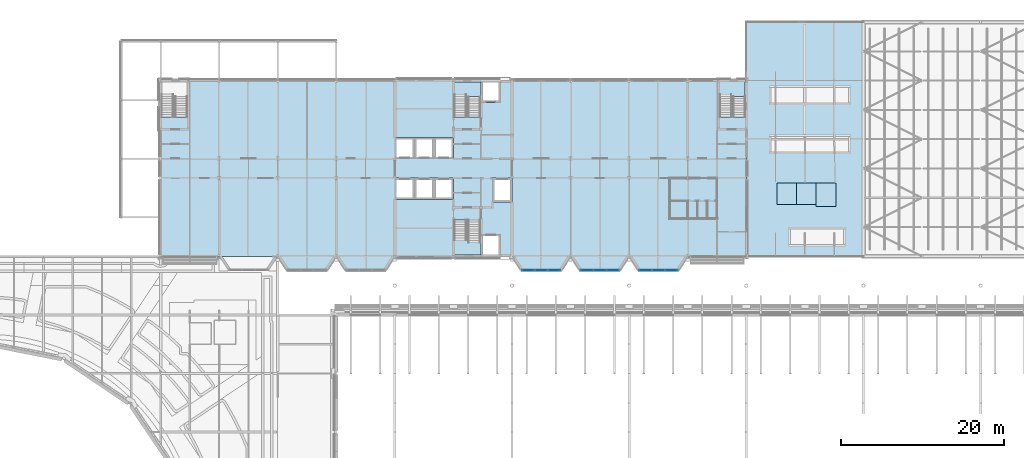
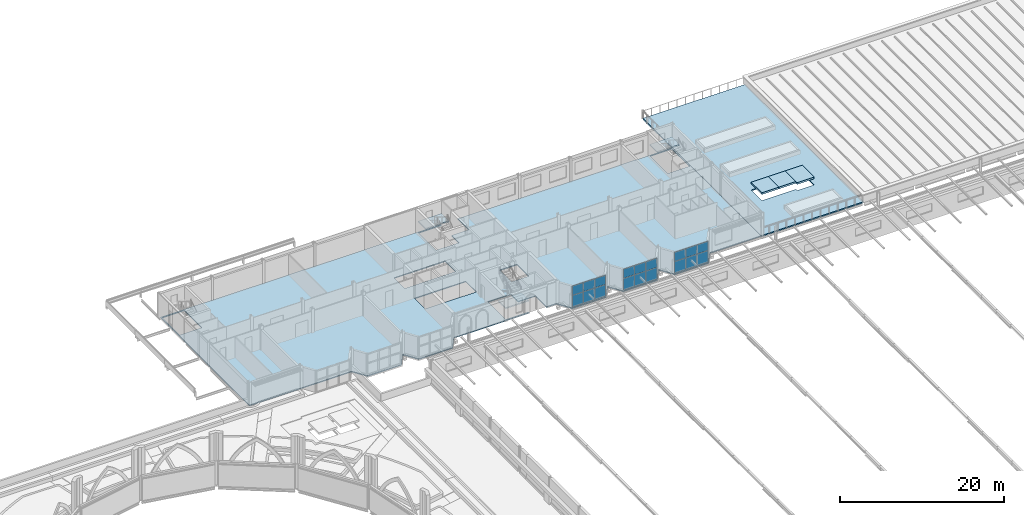
# One storey, part 37 of 110: 18 plates, 8 slabs, 6 elements without a shape of their own.
"""IFC4 building model written with IfcOpenShell, lengths in metres."""

from ifc_helpers import new_model, si_unit, direction, frame, origin, origin_2d, place, context, subcontext, project, spatial, polyline, rectangle, outline, extrude, material, layer, layer_set, type_object, element, aggregate, save


model = new_model("IFC4")

# Units and contexts
model_context = context("Model", 3, precision=1e-05, world=origin(), true_north=direction((0.0, 1.0)))
body_context = subcontext(model_context, "Body", "Model", "MODEL_VIEW")
ifc_project = project(units=[si_unit("LENGTHUNIT", "METRE"), si_unit("AREAUNIT", "SQUARE_METRE"), si_unit("VOLUMEUNIT", "CUBIC_METRE"), si_unit("PLANEANGLEUNIT", "RADIAN"), si_unit("MASSUNIT", "GRAM", prefix="KILO")], contexts=[model_context])

# Site, building, storey
site_placement = place(None, origin())
site = spatial("IfcSite", under=ifc_project, at=site_placement, CompositionType="ELEMENT")
building_placement = place(site_placement, origin())
building = spatial("IfcBuilding", under=site, at=building_placement, Name="Kupolbacken Congress Centre", CompositionType="ELEMENT")
storey_placement = place(building_placement, frame((0.0, 0.0, 18.0)))
storey = spatial("IfcBuildingStorey", under=building, at=storey_placement, Name="L05", CompositionType="ELEMENT", Elevation=18.0)

# Slabs
ifc_material_1 = material(Name="Concrete C30/37", Category="concrete")
ifc_layer_1 = layer(ifc_material_1, 0.080078125)
ifc_material_2 = material(Name="Steel S350 profiled deck", Category="steel")
ifc_layer_2 = layer(ifc_material_2, 0.06005859375)
ifc_layer_set_1 = layer_set([ifc_layer_1, ifc_layer_2], Name="Concrete C30/37 / Steel S350 profiled deck")
slab_type_1 = type_object("IfcSlabType", Name="FS1 slab 140", PredefinedType="FLOOR", material=ifc_layer_set_1)
slab_1_placement = place(storey_placement, frame((0.0, 0.0, -0.139892578125)))
element("IfcSlab", 1, at=slab_1_placement, inside=storey, type_object=slab_type_1, Name="S/floor/T/L05/slab/slab", PredefinedType="FLOOR", context=body_context, shape_type="SweptSolid", body=[
    extrude(outline(polyline([(79.200439453125, 122.399169921875), (80.399658203125, 120.6005859375), (85.2001953125, 120.6005859375), (86.39990234375, 122.39990234375), (87.599609375, 120.6005859375), (92.400390625, 120.6005859375), (93.599609375, 122.3994140625), (93.599609375, 122.400390625), (104.199462890625, 122.400390625), (104.199462890625, 122.574462890625), (100.974609375, 122.574462890625), (100.974609375, 126.890380859375), (104.200439453125, 126.890380859375), (104.200439453125, 125.1005859375), (106.6005859375, 125.1005859375), (106.6005859375, 122.400390625), (108.00048828125, 122.400390625), (108.00048828125, 122.399169921875), (109.19970703125, 120.6005859375), (114.000244140625, 120.6005859375), (115.199951171875, 122.39990234375), (116.399658203125, 120.6005859375), (121.2001953125, 120.6005859375), (122.39990234375, 122.39990234375), (123.599609375, 120.6005859375), (128.400390625, 120.6005859375), (129.599609375, 122.3994140625), (129.599609375, 122.400390625), (136.799560546875, 122.400390625), (136.799560546875, 143.99951171875), (106.6005859375, 143.99951171875), (106.6005859375, 141.299560546875), (104.200439453125, 141.299560546875), (104.200439453125, 139.509521484375), (100.974609375, 139.509521484375), (100.974609375, 143.825439453125), (104.199462890625, 143.825439453125), (104.199462890625, 143.99951171875), (64.800537109375, 143.99951171875), (64.800537109375, 122.400390625), (79.200439453125, 122.400390625), (79.200439453125, 122.399169921875)]), holes=[polyline([(136.650390625, 139.534423828125), (133.549560546875, 139.534423828125), (133.549560546875, 143.8505859375), (136.650390625, 143.8505859375), (136.650390625, 139.534423828125)]), polyline([(108.00048828125, 129.099609375), (105.599609375, 129.099609375), (105.599609375, 132.00048828125), (108.00048828125, 132.00048828125), (108.00048828125, 129.099609375)]), polyline([(93.599609375, 132.00048828125), (100.800537109375, 132.00048828125), (100.800537109375, 129.3994140625), (93.599609375, 129.3994140625), (93.599609375, 132.00048828125)]), polyline([(93.599609375, 137.00048828125), (100.800537109375, 137.00048828125), (100.800537109375, 134.3994140625), (93.599609375, 134.3994140625), (93.599609375, 137.00048828125)]), polyline([(68.050537109375, 143.8505859375), (68.050537109375, 139.534423828125), (64.949462890625, 139.534423828125), (64.949462890625, 143.8505859375), (68.050537109375, 143.8505859375)])]), origin(), (0.0, 0.0, 1.0), 0.139892578125),
])
ifc_layer_3 = layer(ifc_material_1, 0.1201171875)
ifc_layer_4 = layer(ifc_material_2, 0.06005859375)
ifc_layer_set_2 = layer_set([ifc_layer_3, ifc_layer_4], Name="Concrete C30/37 / Steel S350 profiled deck")
slab_type_2 = type_object("IfcSlabType", Name="FS3 slab 180", PredefinedType="FLOOR", material=ifc_layer_set_2)
slab_2_placement = place(storey_placement, frame((0.0, 0.0, -0.179931640625)))
element("IfcSlab", 2, at=slab_2_placement, inside=storey, type_object=slab_type_2, Name="S/floor/BF/L05/slab/slab", PredefinedType="ROOF", context=body_context, shape_type="SweptSolid", body=[
    extrude(outline(polyline([(151.199462890625, 122.400390625), (151.199462890625, 151.199462890625), (136.800537109375, 151.199462890625), (136.800537109375, 122.400390625), (151.199462890625, 122.400390625)]), holes=[polyline([(145.3994140625, 128.799560546875), (140.599609375, 128.799560546875), (140.599609375, 131.400390625), (147.800537109375, 131.400390625), (147.800537109375, 128.49951171875), (145.3994140625, 128.49951171875), (145.3994140625, 128.799560546875)])]), origin(), (0.0, 0.0, 1.0), 0.179931640625),
])

# Curtain wall, plates
ifc_material_3 = material(Name="Aluminium mullion-transom frame with glass", Category="aluminium")
curtain_wall_type = type_object("IfcCurtainWallType", Name="CW1 curtain wall 7200x3600", PredefinedType="NOTDEFINED", material=ifc_material_3)
curtain_wall_1_placement = place(storey_placement, origin())
curtain_wall_1 = element("IfcCurtainWall", 3, at=curtain_wall_1_placement, inside=storey, type_object=curtain_wall_type, Name="E/T/cumba/L05/S/013/cw", PredefinedType="NOTDEFINED")
ifc_material_4 = material(Name="Glass", Category="glass")
ifc_layer_5 = layer(ifc_material_4, 0.035888671875)
ifc_layer_set_3 = layer_set([ifc_layer_5], Name="Glass")
plate_type = type_object("IfcPlateType", Name="GL2 glass panel 36", PredefinedType="CURTAIN_PANEL", material=ifc_layer_set_3)
plate_1_placement = place(storey_placement, frame((110.012451171875, 120.699951171875, 0.050048828125), z_axis=(0.0, 0.0, 1.0), x_axis=(1.0, 0.0, 0.0)))
plate_1 = element("IfcPlate", 4, at=plate_1_placement, type_object=plate_type, Name="CW1 panel 1.1", PredefinedType="CURTAIN_PANEL", context=body_context, shape_type="SweptSolid", body=[
    extrude(rectangle(XDim=1.52490234375, YDim=0.035888671875, at=origin_2d()), origin(), (0.0, 0.0, 1.0), 1.72509765625),
])
plate_2_placement = place(storey_placement, frame((110.012451171875, 120.699951171875, 1.8251953125), z_axis=(0.0, 0.0, 1.0), x_axis=(1.0, 0.0, 0.0)))
plate_2 = element("IfcPlate", 5, at=plate_2_placement, type_object=plate_type, Name="CW1 panel 1.2", PredefinedType="CURTAIN_PANEL", context=body_context, shape_type="SweptSolid", body=[
    extrude(rectangle(XDim=1.52490234375, YDim=0.035888671875, at=origin_2d()), origin(), (0.0, 0.0, 1.0), 1.344970703125),
])
plate_3_placement = place(storey_placement, frame((111.60009765625, 120.699951171875, 0.050048828125), z_axis=(0.0, 0.0, 1.0), x_axis=(1.0, 0.0, 0.0)))
plate_3 = element("IfcPlate", 6, at=plate_3_placement, type_object=plate_type, Name="CW1 panel 2.1", PredefinedType="CURTAIN_PANEL", context=body_context, shape_type="SweptSolid", body=[
    extrude(rectangle(XDim=1.550048828125, YDim=0.035888671875, at=origin_2d()), origin(), (0.0, 0.0, 1.0), 1.72509765625),
])
plate_4_placement = place(storey_placement, frame((111.60009765625, 120.699951171875, 1.8251953125), z_axis=(0.0, 0.0, 1.0), x_axis=(1.0, 0.0, 0.0)))
plate_4 = element("IfcPlate", 7, at=plate_4_placement, type_object=plate_type, Name="CW1 panel 2.2", PredefinedType="CURTAIN_PANEL", context=body_context, shape_type="SweptSolid", body=[
    extrude(rectangle(XDim=1.550048828125, YDim=0.035888671875, at=origin_2d()), origin(), (0.0, 0.0, 1.0), 1.344970703125),
])
plate_5_placement = place(storey_placement, frame((113.1875, 120.699951171875, 0.050048828125), z_axis=(0.0, 0.0, 1.0), x_axis=(1.0, 0.0, 0.0)))
plate_5 = element("IfcPlate", 8, at=plate_5_placement, type_object=plate_type, Name="CW1 panel 3.1", PredefinedType="CURTAIN_PANEL", context=body_context, shape_type="SweptSolid", body=[
    extrude(rectangle(XDim=1.52490234375, YDim=0.035888671875, at=origin_2d()), origin(), (0.0, 0.0, 1.0), 1.72509765625),
])
plate_6_placement = place(storey_placement, frame((113.1875, 120.699951171875, 1.8251953125), z_axis=(0.0, 0.0, 1.0), x_axis=(1.0, 0.0, 0.0)))
plate_6 = element("IfcPlate", 9, at=plate_6_placement, type_object=plate_type, Name="CW1 panel 3.2", PredefinedType="CURTAIN_PANEL", context=body_context, shape_type="SweptSolid", body=[
    extrude(rectangle(XDim=1.52490234375, YDim=0.035888671875, at=origin_2d()), origin(), (0.0, 0.0, 1.0), 1.344970703125),
])
aggregate(curtain_wall_1, [plate_1, plate_2, plate_3, plate_4, plate_5, plate_6])

curtain_wall_2_placement = place(storey_placement, origin())
curtain_wall_2 = element("IfcCurtainWall", 10, at=curtain_wall_2_placement, inside=storey, type_object=curtain_wall_type, Name="E/T/cumba/L05/S/017/cw", PredefinedType="NOTDEFINED")
plate_7_placement = place(storey_placement, frame((117.21240234375, 120.699951171875, 0.050048828125), z_axis=(0.0, 0.0, 1.0), x_axis=(1.0, 0.0, 0.0)))
plate_7 = element("IfcPlate", 11, at=plate_7_placement, type_object=plate_type, Name="CW1 panel 1.1", PredefinedType="CURTAIN_PANEL", context=body_context, shape_type="SweptSolid", body=[
    extrude(rectangle(XDim=1.52490234375, YDim=0.035888671875, at=origin_2d()), origin(), (0.0, 0.0, 1.0), 1.72509765625),
])
plate_8_placement = place(storey_placement, frame((117.21240234375, 120.699951171875, 1.8251953125), z_axis=(0.0, 0.0, 1.0), x_axis=(1.0, 0.0, 0.0)))
plate_8 = element("IfcPlate", 12, at=plate_8_placement, type_object=plate_type, Name="CW1 panel 1.2", PredefinedType="CURTAIN_PANEL", context=body_context, shape_type="SweptSolid", body=[
    extrude(rectangle(XDim=1.52490234375, YDim=0.035888671875, at=origin_2d()), origin(), (0.0, 0.0, 1.0), 1.344970703125),
])
plate_9_placement = place(storey_placement, frame((118.800048828125, 120.699951171875, 0.050048828125), z_axis=(0.0, 0.0, 1.0), x_axis=(1.0, 0.0, 0.0)))
plate_9 = element("IfcPlate", 13, at=plate_9_placement, type_object=plate_type, Name="CW1 panel 2.1", PredefinedType="CURTAIN_PANEL", context=body_context, shape_type="SweptSolid", body=[
    extrude(rectangle(XDim=1.550048828125, YDim=0.035888671875, at=origin_2d()), origin(), (0.0, 0.0, 1.0), 1.72509765625),
])
plate_10_placement = place(storey_placement, frame((118.800048828125, 120.699951171875, 1.8251953125), z_axis=(0.0, 0.0, 1.0), x_axis=(1.0, 0.0, 0.0)))
plate_10 = element("IfcPlate", 14, at=plate_10_placement, type_object=plate_type, Name="CW1 panel 2.2", PredefinedType="CURTAIN_PANEL", context=body_context, shape_type="SweptSolid", body=[
    extrude(rectangle(XDim=1.550048828125, YDim=0.035888671875, at=origin_2d()), origin(), (0.0, 0.0, 1.0), 1.344970703125),
])
plate_11_placement = place(storey_placement, frame((120.387451171875, 120.699951171875, 0.050048828125), z_axis=(0.0, 0.0, 1.0), x_axis=(1.0, 0.0, 0.0)))
plate_11 = element("IfcPlate", 15, at=plate_11_placement, type_object=plate_type, Name="CW1 panel 3.1", PredefinedType="CURTAIN_PANEL", context=body_context, shape_type="SweptSolid", body=[
    extrude(rectangle(XDim=1.52490234375, YDim=0.035888671875, at=origin_2d()), origin(), (0.0, 0.0, 1.0), 1.72509765625),
])
plate_12_placement = place(storey_placement, frame((120.387451171875, 120.699951171875, 1.8251953125), z_axis=(0.0, 0.0, 1.0), x_axis=(1.0, 0.0, 0.0)))
plate_12 = element("IfcPlate", 16, at=plate_12_placement, type_object=plate_type, Name="CW1 panel 3.2", PredefinedType="CURTAIN_PANEL", context=body_context, shape_type="SweptSolid", body=[
    extrude(rectangle(XDim=1.52490234375, YDim=0.035888671875, at=origin_2d()), origin(), (0.0, 0.0, 1.0), 1.344970703125),
])
aggregate(curtain_wall_2, [plate_7, plate_8, plate_9, plate_10, plate_11, plate_12])

curtain_wall_3_placement = place(storey_placement, origin())
curtain_wall_3 = element("IfcCurtainWall", 17, at=curtain_wall_3_placement, inside=storey, type_object=curtain_wall_type, Name="E/T/cumba/L05/S/021/cw", PredefinedType="NOTDEFINED")
plate_13_placement = place(storey_placement, frame((124.41259765625, 120.699951171875, 0.050048828125), z_axis=(0.0, 0.0, 1.0), x_axis=(1.0, 0.0, 0.0)))
plate_13 = element("IfcPlate", 18, at=plate_13_placement, type_object=plate_type, Name="CW1 panel 1.1", PredefinedType="CURTAIN_PANEL", context=body_context, shape_type="SweptSolid", body=[
    extrude(rectangle(XDim=1.52490234375, YDim=0.035888671875, at=origin_2d()), origin(), (0.0, 0.0, 1.0), 1.72509765625),
])
plate_14_placement = place(storey_placement, frame((124.41259765625, 120.699951171875, 1.8251953125), z_axis=(0.0, 0.0, 1.0), x_axis=(1.0, 0.0, 0.0)))
plate_14 = element("IfcPlate", 19, at=plate_14_placement, type_object=plate_type, Name="CW1 panel 1.2", PredefinedType="CURTAIN_PANEL", context=body_context, shape_type="SweptSolid", body=[
    extrude(rectangle(XDim=1.52490234375, YDim=0.035888671875, at=origin_2d()), origin(), (0.0, 0.0, 1.0), 1.344970703125),
])
plate_15_placement = place(storey_placement, frame((126.0, 120.699951171875, 0.050048828125), z_axis=(0.0, 0.0, 1.0), x_axis=(1.0, 0.0, 0.0)))
plate_15 = element("IfcPlate", 20, at=plate_15_placement, type_object=plate_type, Name="CW1 panel 2.1", PredefinedType="CURTAIN_PANEL", context=body_context, shape_type="SweptSolid", body=[
    extrude(rectangle(XDim=1.550048828125, YDim=0.035888671875, at=origin_2d()), origin(), (0.0, 0.0, 1.0), 1.72509765625),
])
plate_16_placement = place(storey_placement, frame((126.0, 120.699951171875, 1.8251953125), z_axis=(0.0, 0.0, 1.0), x_axis=(1.0, 0.0, 0.0)))
plate_16 = element("IfcPlate", 21, at=plate_16_placement, type_object=plate_type, Name="CW1 panel 2.2", PredefinedType="CURTAIN_PANEL", context=body_context, shape_type="SweptSolid", body=[
    extrude(rectangle(XDim=1.550048828125, YDim=0.035888671875, at=origin_2d()), origin(), (0.0, 0.0, 1.0), 1.344970703125),
])
plate_17_placement = place(storey_placement, frame((127.58740234375, 120.699951171875, 0.050048828125), z_axis=(0.0, 0.0, 1.0), x_axis=(1.0, 0.0, 0.0)))
plate_17 = element("IfcPlate", 22, at=plate_17_placement, type_object=plate_type, Name="CW1 panel 3.1", PredefinedType="CURTAIN_PANEL", context=body_context, shape_type="SweptSolid", body=[
    extrude(rectangle(XDim=1.52490234375, YDim=0.035888671875, at=origin_2d()), origin(), (0.0, 0.0, 1.0), 1.72509765625),
])
plate_18_placement = place(storey_placement, frame((127.58740234375, 120.699951171875, 1.8251953125), z_axis=(0.0, 0.0, 1.0), x_axis=(1.0, 0.0, 0.0)))
plate_18 = element("IfcPlate", 23, at=plate_18_placement, type_object=plate_type, Name="CW1 panel 3.2", PredefinedType="CURTAIN_PANEL", context=body_context, shape_type="SweptSolid", body=[
    extrude(rectangle(XDim=1.52490234375, YDim=0.035888671875, at=origin_2d()), origin(), (0.0, 0.0, 1.0), 1.344970703125),
])
aggregate(curtain_wall_3, [plate_13, plate_14, plate_15, plate_16, plate_17, plate_18])

# Slabs
ifc_layer_6 = layer(ifc_material_1, 0.080078125)
ifc_layer_7 = layer(ifc_material_2, 0.06005859375)
ifc_material_5 = material(Name="Mineral wool", Category="insulation")
ifc_layer_8 = layer(ifc_material_5, 0.1201171875)
ifc_material_6 = material(Name="Roofing membrane", Category="membrane")
ifc_layer_9 = layer(ifc_material_6, 0.010009765625)
ifc_layer_set_4 = layer_set([ifc_layer_6, ifc_layer_7, ifc_layer_8, ifc_layer_9], Name="Concrete C30/37 / Steel S350 profiled deck / Mineral wool / Roofing membrane")
slab_type_3 = type_object("IfcSlabType", Name="RS2 slab 270", PredefinedType="ROOF", material=ifc_layer_set_4)
slab_3_placement = place(storey_placement, frame((0.0, 0.0, 0.89990234375)))
element("IfcSlab", 24, at=slab_3_placement, inside=storey, type_object=slab_type_3, Name="Lift machine room slab LP15", PredefinedType="ROOF", context=body_context, shape_type="SweptSolid", body=[
    extrude(outline(polyline([(140.60009765625, 128.800048828125), (143.0, 128.800048828125), (143.0, 131.39990234375), (140.60009765625, 131.39990234375), (140.60009765625, 128.800048828125)])), origin(), (0.0, 0.0, 1.0), 0.27001953125),
])
slab_4_placement = place(storey_placement, frame((0.0, 0.0, 0.89990234375)))
element("IfcSlab", 25, at=slab_4_placement, inside=storey, type_object=slab_type_3, Name="Lift machine room slab LP16", PredefinedType="ROOF", context=body_context, shape_type="SweptSolid", body=[
    extrude(outline(polyline([(143.0, 128.800048828125), (145.39990234375, 128.800048828125), (145.39990234375, 131.39990234375), (143.0, 131.39990234375), (143.0, 128.800048828125)])), origin(), (0.0, 0.0, 1.0), 0.27001953125),
])
slab_5_placement = place(storey_placement, frame((0.0, 0.0, 0.89990234375)))
element("IfcSlab", 26, at=slab_5_placement, inside=storey, type_object=slab_type_3, Name="Lift machine room slab LV2", PredefinedType="ROOF", context=body_context, shape_type="SweptSolid", body=[
    extrude(outline(polyline([(145.39990234375, 128.5), (147.800048828125, 128.5), (147.800048828125, 131.39990234375), (145.39990234375, 131.39990234375), (145.39990234375, 128.5)])), origin(), (0.0, 0.0, 1.0), 0.27001953125),
])

# Stair, slab
ifc_material_7 = material(Name="Steel S355", Category="steel")
stair_type = type_object("IfcStairType", Name="ST2 stair 1500", PredefinedType="TWO_STRAIGHT_RUN_STAIR", material=ifc_material_7)
stair_1_placement = place(storey_placement, origin())
stair_1 = element("IfcStair", 27, at=stair_1_placement, inside=storey, type_object=stair_type, Name="C/stair/TS1/L05", PredefinedType="NOTDEFINED")
ifc_material_8 = material(Name="Concrete C30/37 precast", Category="concrete")
ifc_layer_10 = layer(ifc_material_8, 0.175048828125)
ifc_layer_set_5 = layer_set([ifc_layer_10], Name="Concrete C30/37 precast")
slab_type_4 = type_object("IfcSlabType", Name="SL1 slab 175", PredefinedType="LANDING", material=ifc_layer_set_5)
slab_6_placement = place(storey_placement, frame((0.0, 0.0, 1.539306640625)))
slab_6 = element("IfcSlab", 28, at=slab_6_placement, type_object=slab_type_4, Name="TS1 landing 1", PredefinedType="LANDING", context=body_context, shape_type="SweptSolid", body=[
    extrude(outline(polyline([(100.955078125, 122.554931640625), (104.219970703125, 122.554931640625), (104.219970703125, 124.3798828125), (100.955078125, 124.3798828125), (100.955078125, 122.554931640625)])), origin(), (0.0, 0.0, 1.0), 0.175048828125),
])
aggregate(stair_1, [slab_6])

stair_2_placement = place(storey_placement, origin())
stair_2 = element("IfcStair", 29, at=stair_2_placement, inside=storey, type_object=stair_type, Name="C/stair/TS2/L05", PredefinedType="NOTDEFINED")
slab_7_placement = place(storey_placement, frame((0.0, 0.0, 1.539306640625)))
slab_7 = element("IfcSlab", 30, at=slab_7_placement, type_object=slab_type_4, Name="TS2 landing 1", PredefinedType="LANDING", context=body_context, shape_type="SweptSolid", body=[
    extrude(outline(polyline([(100.955078125, 142.02001953125), (104.219970703125, 142.02001953125), (104.219970703125, 143.844970703125), (100.955078125, 143.844970703125), (100.955078125, 142.02001953125)])), origin(), (0.0, 0.0, 1.0), 0.175048828125),
])
aggregate(stair_2, [slab_7])

stair_3_placement = place(storey_placement, origin())
stair_3 = element("IfcStair", 31, at=stair_3_placement, inside=storey, type_object=stair_type, Name="C/stair/TS4/L05", PredefinedType="NOTDEFINED")
slab_8_placement = place(storey_placement, frame((0.0, 0.0, 1.539306640625)))
slab_8 = element("IfcSlab", 32, at=slab_8_placement, type_object=slab_type_4, Name="TS4 landing 1", PredefinedType="LANDING", context=body_context, shape_type="SweptSolid", body=[
    extrude(outline(polyline([(133.530029296875, 142.044921875), (136.669921875, 142.044921875), (136.669921875, 143.8701171875), (133.530029296875, 143.8701171875), (133.530029296875, 142.044921875)])), origin(), (0.0, 0.0, 1.0), 0.175048828125),
])
aggregate(stair_3, [slab_8])

save(model, "model.ifc")
